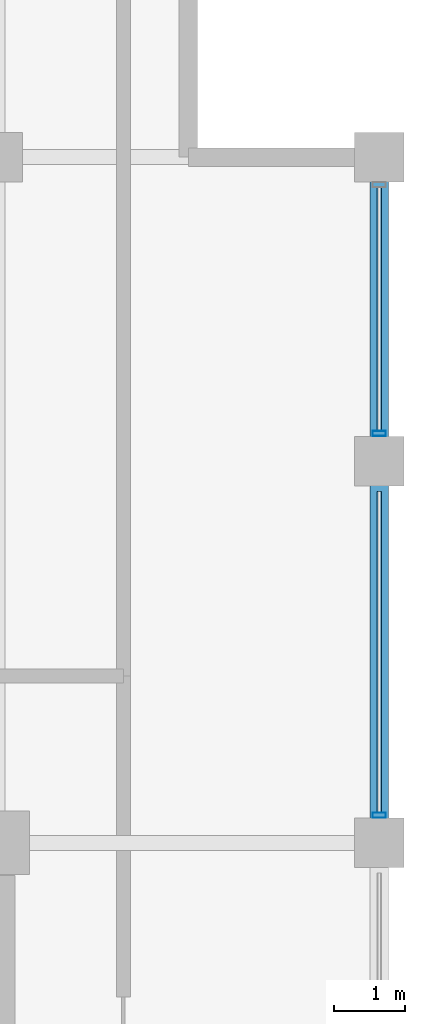
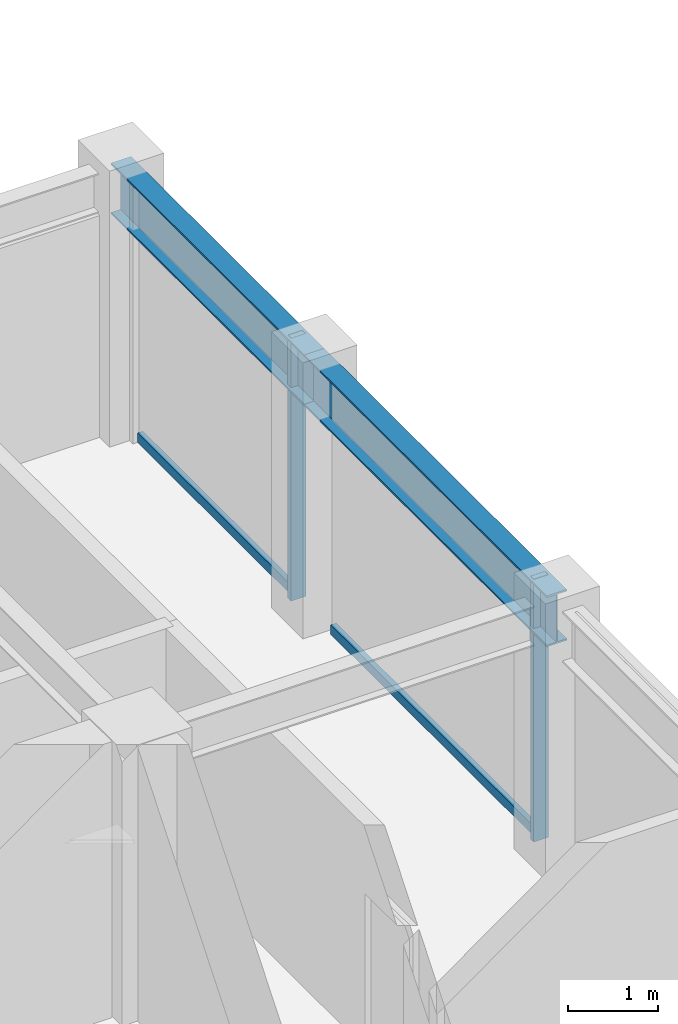
# One storey, part 21 of 30: 4 members, 2 beams, 1 element without a shape of its own.
"""IFC4 building model written with IfcOpenShell, lengths in metres."""

from ifc_helpers import new_model, si_unit, direction, frame, origin, origin_2d, place, context, subcontext, project, spatial, hollow_rectangle, i_section, extrude, material, layer, layer_set, material_profile, profile_set, type_object, element, aggregate, save


model = new_model("IFC4")

# Units and contexts
model_context = context("Model", 3, precision=1e-05, world=origin(), true_north=direction((0.0, 1.0)))
body_context = subcontext(model_context, "Body", "Model", "MODEL_VIEW")
ifc_project = project(units=[si_unit("LENGTHUNIT", "METRE"), si_unit("AREAUNIT", "SQUARE_METRE"), si_unit("VOLUMEUNIT", "CUBIC_METRE"), si_unit("PLANEANGLEUNIT", "RADIAN"), si_unit("MASSUNIT", "GRAM", prefix="KILO")], contexts=[model_context])

# Site, building, storey
site_placement = place(None, origin())
site = spatial("IfcSite", under=ifc_project, at=site_placement, CompositionType="ELEMENT")
building_placement = place(site_placement, origin())
building = spatial("IfcBuilding", under=site, at=building_placement, Name="Surkhivell Harbour Commons", CompositionType="ELEMENT")
storey_placement = place(building_placement, frame((0.0, 0.0, 300.0)))
storey = spatial("IfcBuildingStorey", under=building, at=storey_placement, Name="L78", CompositionType="ELEMENT", Elevation=300.0)

# Beams
ifc_material_1 = material(Name="Steel S355", Category="steel")
ifc_material_profile_1 = material_profile(ifc_material_1, i_section(OverallWidth=0.256103515625, OverallDepth=0.693115234375, WebThickness=0.014404296875, FlangeThickness=0.023681640625, at=origin_2d()), Name="UB686x254x170")
ifc_profile_set_1 = profile_set([ifc_material_profile_1], Name="Steel S355")
beam_type = type_object("IfcBeamType", Name="BM-SPN-686", PredefinedType="SPANDREL", material=ifc_profile_set_1)
beam_1_placement = place(storey_placement, frame((16.199951171875, 10.800048828125, 3.223388671875), z_axis=(0.0, 1.0, 0.0), x_axis=(-1.0, 0.0, 0.0)))
element("IfcBeam", 1, at=beam_1_placement, inside=storey, type_object=beam_type, Name="L78 Tube Spandrel (16.2,10.8)", PredefinedType="SPANDREL", context=body_context, shape_type="SweptSolid", body=[
    extrude(i_section(OverallWidth=0.256103515625, OverallDepth=0.693115234375, WebThickness=0.014404296875, FlangeThickness=0.023681640625, at=origin_2d()), origin(), (0.0, 0.0, 1.0), 5.39990234375),
])
beam_2_placement = place(storey_placement, frame((16.199951171875, 16.199951171875, 3.223388671875), z_axis=(0.0, 1.0, 0.0), x_axis=(-1.0, 0.0, 0.0)))
element("IfcBeam", 2, at=beam_2_placement, inside=storey, type_object=beam_type, Name="L78 Tube Spandrel (16.2,16.2)", PredefinedType="SPANDREL", context=body_context, shape_type="SweptSolid", body=[
    extrude(i_section(OverallWidth=0.256103515625, OverallDepth=0.693115234375, WebThickness=0.014404296875, FlangeThickness=0.023681640625, at=origin_2d()), origin(), (0.0, 0.0, 1.0), 4.300048828125),
])

# Curtain wall, members
ifc_material_2 = material(Name="Anodised pale-metal aluminium and insulated glazing", Category="aluminium")
ifc_layer = layer(ifc_material_2, 0.175048828125)
ifc_layer_set = layer_set([ifc_layer], Name="Anodised pale-metal aluminium and insulated glazing")
curtain_wall_type = type_object("IfcCurtainWallType", Name="CW-SYS-Z4", PredefinedType="NOTDEFINED", material=ifc_layer_set)
curtain_wall_placement = place(storey_placement, origin())
curtain_wall = element("IfcCurtainWall", 3, at=curtain_wall_placement, inside=storey, type_object=curtain_wall_type, Name="L78 Curtain Wall CW-L78-E02", PredefinedType="NOTDEFINED")
ifc_material_3 = material(Name="Anodised pale-metal aluminium alloy 6063-T6", Category="aluminium")
ifc_material_profile_2 = material_profile(ifc_material_3, hollow_rectangle(XDim=0.074951171875, YDim=0.18994140625, WallThickness=0.00390625, at=origin_2d()), Name="ALU-MULL-75x190")
ifc_profile_set_2 = profile_set([ifc_material_profile_2], Name="Anodised pale-metal aluminium alloy 6063-T6")
member_type_1 = type_object("IfcMemberType", Name="CWM-190", PredefinedType="MULLION", material=ifc_profile_set_2)
member_1_placement = place(storey_placement, frame((16.199951171875, 11.189453125, 0.0), z_axis=(0.0, 0.0, 1.0), x_axis=(0.0, 1.0, 0.0)))
member_1 = element("IfcMember", 4, at=member_1_placement, type_object=member_type_1, Name="CW-Z4 mullion 4", PredefinedType="MULLION", context=body_context, shape_type="SweptSolid", body=[
    extrude(hollow_rectangle(XDim=0.074951171875, YDim=0.18994140625, WallThickness=0.00390625, at=origin_2d()), origin(), (0.0, 0.0, 1.0), 3.570068359375),
])
member_2_placement = place(storey_placement, frame((16.199951171875, 16.589599609375, 0.0), z_axis=(0.0, 0.0, 1.0), x_axis=(0.0, 1.0, 0.0)))
member_2 = element("IfcMember", 5, at=member_2_placement, type_object=member_type_1, Name="CW-Z4 mullion 5", PredefinedType="MULLION", context=body_context, shape_type="SweptSolid", body=[
    extrude(hollow_rectangle(XDim=0.074951171875, YDim=0.18994140625, WallThickness=0.00390625, at=origin_2d()), origin(), (0.0, 0.0, 1.0), 3.570068359375),
])
ifc_material_4 = material(Name="Champagne anodised aluminium alloy 6063-T6", Category="aluminium")
ifc_material_profile_3 = material_profile(ifc_material_4, hollow_rectangle(XDim=0.070068359375, YDim=0.1298828125, WallThickness=0.00341796875, at=origin_2d()), Name="ALU-TRAN-70x130")
ifc_profile_set_3 = profile_set([ifc_material_profile_3], Name="Champagne anodised aluminium alloy 6063-T6")
member_type_2 = type_object("IfcMemberType", Name="CWT-130", PredefinedType="USERDEFINED", material=ifc_profile_set_3)
member_3_placement = place(storey_placement, frame((16.199951171875, 11.22705078125, 0.06494140625), z_axis=(0.0, 1.0, 0.0), x_axis=(-1.0, 0.0, 0.0)))
member_3 = element("IfcMember", 6, at=member_3_placement, type_object=member_type_2, Name="CW-Z4 transom 4.1", ObjectType="TRANSOM", PredefinedType="USERDEFINED", context=body_context, shape_type="SweptSolid", body=[
    extrude(hollow_rectangle(XDim=0.070068359375, YDim=0.1298828125, WallThickness=0.00341796875, at=origin_2d()), origin(), (0.0, 0.0, 1.0), 4.5458984375),
])
member_4_placement = place(storey_placement, frame((16.199951171875, 16.626953125, 0.06494140625), z_axis=(0.0, 1.0, 0.0), x_axis=(-1.0, 0.0, 0.0)))
member_4 = element("IfcMember", 7, at=member_4_placement, type_object=member_type_2, Name="CW-Z4 transom 5.1", ObjectType="TRANSOM", PredefinedType="USERDEFINED", context=body_context, shape_type="SweptSolid", body=[
    extrude(hollow_rectangle(XDim=0.070068359375, YDim=0.1298828125, WallThickness=0.00341796875, at=origin_2d()), origin(), (0.0, 0.0, 1.0), 3.446044921875),
])
aggregate(curtain_wall, [member_1, member_3, member_2, member_4])

save(model, "model.ifc")
